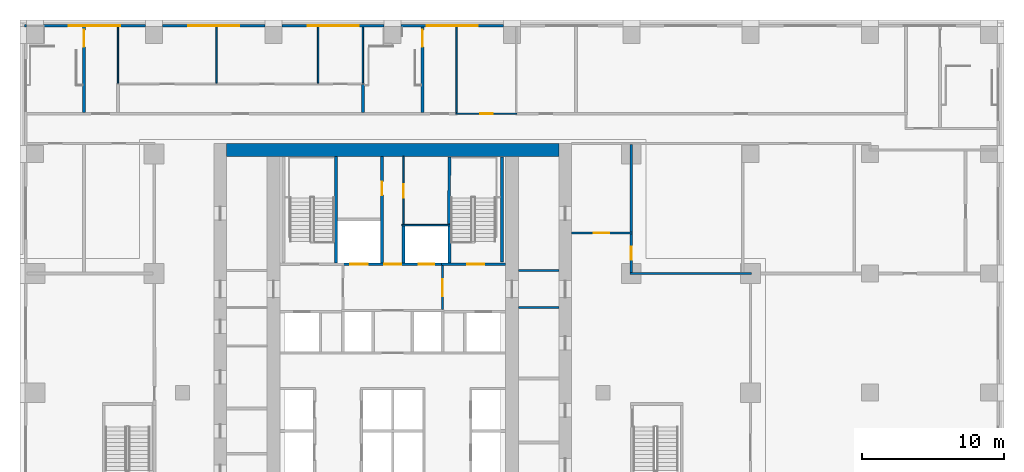
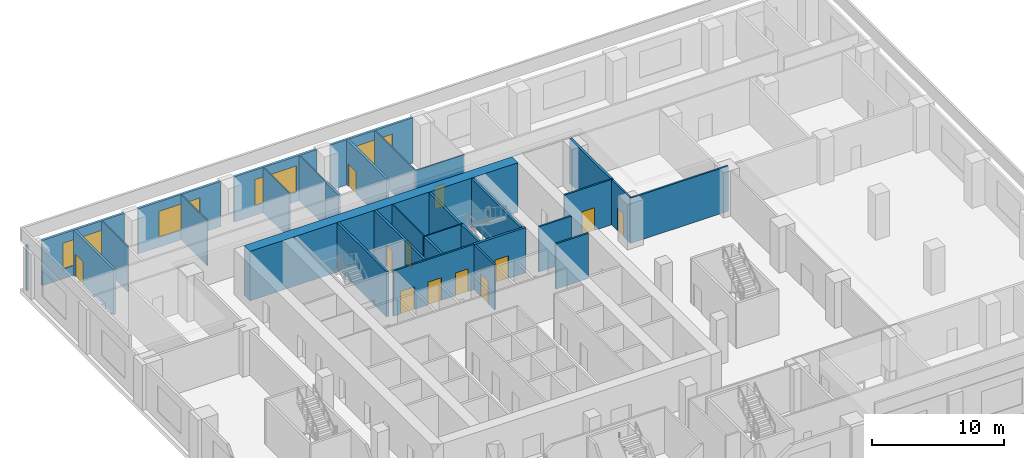
# One storey, part 7 of 16: 32 walls, 12 doors, 4 windows, 16 openings.
"""IFC4 building model written with IfcOpenShell, lengths in metres."""

from ifc_helpers import new_model, si_unit, direction, frame, frame_2d, origin, place, context, subcontext, project, spatial, rectangle, extrude, material, layer, layer_set, type_object, element, fill, save


model = new_model("IFC4")

# Units and contexts
model_context = context("Model", 3, precision=1e-05, world=origin(), true_north=direction((0.0, 1.0)))
body_context = subcontext(model_context, "Body", "Model", "MODEL_VIEW")
ifc_project = project(units=[si_unit("LENGTHUNIT", "METRE"), si_unit("AREAUNIT", "SQUARE_METRE"), si_unit("VOLUMEUNIT", "CUBIC_METRE"), si_unit("PLANEANGLEUNIT", "RADIAN"), si_unit("MASSUNIT", "GRAM", prefix="KILO")], contexts=[model_context])

# Site, building, storey
site_placement = place(None, origin())
site = spatial("IfcSite", under=ifc_project, at=site_placement, CompositionType="ELEMENT")
building_placement = place(site_placement, origin())
building = spatial("IfcBuilding", under=site, at=building_placement, Name="Vermilion Ogive Tower", CompositionType="ELEMENT")
storey_placement = place(building_placement, frame((0.0, 0.0, 30.0)))
storey = spatial("IfcBuildingStorey", under=building, at=storey_placement, Name="L05", CompositionType="ELEMENT", Elevation=30.0)

# Wall, opening, door
ifc_material_1 = material(Name="Gypsum board partition on steel studs", Category="steel")
ifc_layer_1 = layer(ifc_material_1, 0.10009765625)
ifc_layer_set_1 = layer_set([ifc_layer_1], Name="Partition 100 bath")
wall_type_1 = type_object("IfcWallType", Name="Partition 100 bath", PredefinedType="PARTITIONING", material=ifc_layer_set_1)
wall_1_placement = place(storey_placement, frame((4.449951171875, 23.85009765625, 0.0), z_axis=(0.0, 0.0, 1.0), x_axis=(1.0, 0.0, 0.0)))
wall_1 = element("IfcWall", 1, at=wall_1_placement, inside=storey, type_object=wall_type_1, Name="L05-FS-W-W023", PredefinedType="PARTITIONING", context=body_context, shape_type="SweptSolid", body=[
    extrude(rectangle(XDim=4.300048828125, YDim=0.10009765625, at=frame_2d((2.14990234375, 0.0))), origin(), (0.0, 0.0, 1.0), 4.179931640625),
])
opening_1_placement = place(wall_1_placement, frame((1.699951171875, 0.0, 0.0)))
opening_1 = element("IfcOpeningElement", 2, at=opening_1_placement, cuts=wall_1, Name="Opening L05S028", PredefinedType="OPENING", context=body_context, shape_type="SweptSolid", body=[
    extrude(rectangle(XDim=0.89990234375, YDim=2.10009765625, at=frame_2d((0.449951171875, 1.050048828125))), frame((0.0, 0.06005859375, 0.0), z_axis=(0.0, -1.0, 0.0), x_axis=(1.0, 0.0, 0.0)), (0.0, 0.0, 1.0), 0.1201171875),
])
ifc_material_2 = material(Name="Timber door leaf", Category="wood")
door_type_1 = type_object("IfcDoorType", Name="Room door 900 x 2100 FD30", OperationType="SINGLE_SWING_LEFT", PredefinedType="DOOR", material=ifc_material_2)
door_1_placement = place(opening_1_placement, origin())
door_1 = element("IfcDoor", 3, at=door_1_placement, inside=storey, type_object=door_type_1, Name="L05-FS-D-D028", OperationType="SINGLE_SWING_RIGHT", OverallHeight=2.10009765625, OverallWidth=0.89990234375, PredefinedType="DOOR", context=body_context, shape_type="SweptSolid", body=[
    extrude(rectangle(XDim=0.89990234375, YDim=2.10009765625, at=frame_2d((0.449951171875, 1.050048828125))), frame((0.0, 0.02490234375, 0.0), z_axis=(0.0, -1.0, 0.0), x_axis=(1.0, 0.0, 0.0)), (0.0, 0.0, 1.0), 0.050048828125),
])
fill(opening_1, door_1)

# Walls
for number, where, z_axis, x_axis, name in (
    (4, (-19.35009765625, 26.0, 0.0), (0.0, 0.0, 1.0), (0.0, 1.0, 0.0), "L05-FS-W-W029"),
    (5, (-12.425048828125, 26.0, 0.0), (0.0, 0.0, 1.0), (0.0, 1.0, 0.0), "L05-FS-W-W033"),
    (6, (-5.25, 26.0, 0.0), (0.0, 0.0, 1.0), (0.0, 1.0, 0.0), "L05-FS-W-W036"),
    (7, (-2.10009765625, 26.0, 0.0), (0.0, 0.0, 1.0), (0.0, 1.0, 0.0), "L05-FS-W-W038"),
):
    element("IfcWall", number, at=place(storey_placement, frame(where, z_axis=z_axis, x_axis=x_axis)), inside=storey, type_object=wall_type_1, Name=name, PredefinedType="PARTITIONING", context=body_context, shape_type="SweptSolid", body=[
        extrude(rectangle(XDim=3.949951171875, YDim=0.10009765625, at=frame_2d((1.97509765625, 0.0))), origin(), (0.0, 0.0, 1.0), 4.179931640625),
    ])
wall_2_placement = place(storey_placement, frame((4.5, 23.925048828125, 0.0), z_axis=(0.0, 0.0, 1.0), x_axis=(0.0, 1.0, 0.0)))
element("IfcWall", 8, at=wall_2_placement, inside=storey, type_object=wall_type_1, Name="L05-FS-W-W040", PredefinedType="PARTITIONING", context=body_context, shape_type="SweptSolid", body=[
    extrude(rectangle(XDim=6.02490234375, YDim=0.10009765625, at=frame_2d((3.012451171875, 0.0))), origin(), (0.0, 0.0, 1.0), 4.179931640625),
])
wall_3_placement = place(storey_placement, frame((0.64990234375, 16.0, 0.0), z_axis=(0.0, 0.0, 1.0), x_axis=(1.0, 0.0, 0.0)))
element("IfcWall", 9, at=wall_3_placement, inside=storey, type_object=wall_type_1, Name="L05-CK-W-W020", PredefinedType="PARTITIONING", context=body_context, shape_type="SweptSolid", body=[
    extrude(rectangle(XDim=3.4501953125, YDim=0.10009765625, at=frame_2d((1.72509765625, 0.0))), origin(), (0.0, 0.0, 1.0), 4.179931640625),
])

# Wall, opening, door
wall_4_placement = place(storey_placement, frame((0.75, 16.050048828125, 0.0), z_axis=(0.0, 0.0, 1.0), x_axis=(0.0, 1.0, 0.0)))
wall_4 = element("IfcWall", 10, at=wall_4_placement, inside=storey, type_object=wall_type_1, Name="L05-CK-W-W032", PredefinedType="PARTITIONING", context=body_context, shape_type="SweptSolid", body=[
    extrude(rectangle(XDim=4.799072265625, YDim=0.10009765625, at=frame_2d((2.3994140625, 0.0))), origin(), (0.0, 0.0, 1.0), 4.179931640625),
])
opening_2_placement = place(wall_4_placement, frame((1.875, 0.0, 0.0)))
opening_2 = element("IfcOpeningElement", 11, at=opening_2_placement, cuts=wall_4, Name="Opening DAB130", PredefinedType="OPENING", context=body_context, shape_type="SweptSolid", body=[
    extrude(rectangle(XDim=0.949951171875, YDim=2.10009765625, at=frame_2d((0.47509765625, 1.050048828125))), frame((0.0, 0.06005859375, 0.0), z_axis=(0.0, -1.0, 0.0), x_axis=(1.0, 0.0, 0.0)), (0.0, 0.0, 1.0), 0.1201171875),
])
ifc_material_3 = material(Name="Timber door leaf", Category="wood")
door_type_2 = type_object("IfcDoorType", Name="Service door 950 x 2100 FD60", OperationType="SINGLE_SWING_LEFT", PredefinedType="DOOR", material=ifc_material_3)
door_2_placement = place(opening_2_placement, origin())
door_2 = element("IfcDoor", 12, at=door_2_placement, inside=storey, type_object=door_type_2, Name="L05-CK-D-D021", OperationType="SINGLE_SWING_LEFT", OverallHeight=2.10009765625, OverallWidth=0.949951171875, PredefinedType="DOOR", context=body_context, shape_type="SweptSolid", body=[
    extrude(rectangle(XDim=0.949951171875, YDim=2.10009765625, at=frame_2d((0.47509765625, 1.050048828125))), frame((0.0, 0.02490234375, 0.0), z_axis=(0.0, -1.0, 0.0), x_axis=(1.0, 0.0, 0.0)), (0.0, 0.0, 1.0), 0.050048828125),
])
fill(opening_2, door_2)

# Wall
ifc_material_4 = material(Name="Gypsum board partition on steel studs", Category="steel")
ifc_layer_2 = layer(ifc_material_4, 0.14990234375)
ifc_layer_set_2 = layer_set([ifc_layer_2], Name="Partition 150 corridor")
wall_type_2 = type_object("IfcWallType", Name="Partition 150 corridor", PredefinedType="PARTITIONING", material=ifc_layer_set_2)
wall_5_placement = place(storey_placement, frame((16.72509765625, 12.60009765625, 0.0), z_axis=(0.0, 0.0, 1.0), x_axis=(1.0, 0.0, 0.0)))
element("IfcWall", 13, at=wall_5_placement, inside=storey, type_object=wall_type_2, Name="L05-FS-W-W015", PredefinedType="PARTITIONING", context=body_context, shape_type="SweptSolid", body=[
    extrude(rectangle(XDim=8.5498046875, YDim=0.14990234375, at=frame_2d((4.27490234375, 0.0))), origin(), (0.0, 0.0, 1.0), 4.179931640625),
])

# Wall, opening, door
wall_6_placement = place(storey_placement, frame((12.60107421875, 15.449951171875, 0.0), z_axis=(0.0, 0.0, 1.0), x_axis=(1.0, 0.0, 0.0)))
wall_6 = element("IfcWall", 14, at=wall_6_placement, inside=storey, type_object=wall_type_2, Name="L05-FS-W-W017", PredefinedType="PARTITIONING", context=body_context, shape_type="SweptSolid", body=[
    extrude(rectangle(XDim=4.298828125, YDim=0.14990234375, at=frame_2d((2.1494140625, 0.0))), origin(), (0.0, 0.0, 1.0), 4.179931640625),
])
opening_3_placement = place(wall_6_placement, frame((1.549072265625, 0.0, 0.0)))
opening_3 = element("IfcOpeningElement", 15, at=opening_3_placement, cuts=wall_6, Name="Opening L05S013", PredefinedType="OPENING", context=body_context, shape_type="SweptSolid", body=[
    extrude(rectangle(XDim=1.10009765625, YDim=2.10009765625, at=frame_2d((0.550048828125, 1.050048828125))), frame((0.0, 0.0849609375, 0.0), z_axis=(0.0, -1.0, 0.0), x_axis=(1.0, 0.0, 0.0)), (0.0, 0.0, 1.0), 0.169921875),
])
ifc_material_5 = material(Name="Timber door leaf", Category="wood")
door_type_3 = type_object("IfcDoorType", Name="Fire door 1100 x 2100 FD30", OperationType="SINGLE_SWING_LEFT", PredefinedType="DOOR", material=ifc_material_5)
door_3_placement = place(opening_3_placement, origin())
door_3 = element("IfcDoor", 16, at=door_3_placement, inside=storey, type_object=door_type_3, Name="L05-FS-D-D013", OperationType="SINGLE_SWING_LEFT", OverallHeight=2.10009765625, OverallWidth=1.10009765625, PredefinedType="DOOR", context=body_context, shape_type="SweptSolid", body=[
    extrude(rectangle(XDim=1.10009765625, YDim=2.10009765625, at=frame_2d((0.550048828125, 1.050048828125))), frame((0.0, 0.02490234375, 0.0), z_axis=(0.0, -1.0, 0.0), x_axis=(1.0, 0.0, 0.0)), (0.0, 0.0, 1.0), 0.050048828125),
])
fill(opening_3, door_3)

wall_7_placement = place(storey_placement, frame((16.800048828125, 12.675048828125, 0.0), z_axis=(0.0, 0.0, 1.0), x_axis=(0.0, 1.0, 0.0)))
wall_7 = element("IfcWall", 17, at=wall_7_placement, inside=storey, type_object=wall_type_2, Name="L05-FS-W-W047", PredefinedType="PARTITIONING", context=body_context, shape_type="SweptSolid", body=[
    extrude(rectangle(XDim=2.699951171875, YDim=0.14990234375, at=frame_2d((1.35009765625, 0.0))), origin(), (0.0, 0.0, 1.0), 4.179931640625),
])
opening_4_placement = place(wall_7_placement, frame((0.89990234375, 0.0, 0.0)))
opening_4 = element("IfcOpeningElement", 18, at=opening_4_placement, cuts=wall_7, Name="Opening L05S022", PredefinedType="OPENING", context=body_context, shape_type="SweptSolid", body=[
    extrude(rectangle(XDim=0.89990234375, YDim=2.10009765625, at=frame_2d((0.449951171875, 1.050048828125))), frame((0.0, 0.0849609375, 0.0), z_axis=(0.0, -1.0, 0.0), x_axis=(1.0, 0.0, 0.0)), (0.0, 0.0, 1.0), 0.169921875),
])
door_4_placement = place(opening_4_placement, origin())
door_4 = element("IfcDoor", 19, at=door_4_placement, inside=storey, type_object=door_type_1, Name="L05-FS-D-D022", OperationType="SINGLE_SWING_RIGHT", OverallHeight=2.10009765625, OverallWidth=0.89990234375, PredefinedType="DOOR", context=body_context, shape_type="SweptSolid", body=[
    extrude(rectangle(XDim=0.89990234375, YDim=2.10009765625, at=frame_2d((0.449951171875, 1.050048828125))), frame((0.0, 0.02490234375, 0.0), z_axis=(0.0, -1.0, 0.0), x_axis=(1.0, 0.0, 0.0)), (0.0, 0.0, 1.0), 0.050048828125),
])
fill(opening_4, door_4)

# Wall, openings, doors
wall_8_placement = place(storey_placement, frame((-3.574951171875, 13.25, 0.0), z_axis=(0.0, 0.0, 1.0), x_axis=(1.0, 0.0, 0.0)))
wall_8 = element("IfcWall", 20, at=wall_8_placement, inside=storey, type_object=wall_type_2, Name="L05-CK-W-W018", PredefinedType="PARTITIONING", context=body_context, shape_type="SweptSolid", body=[
    extrude(rectangle(XDim=7.14990234375, YDim=0.14990234375, at=frame_2d((3.574951171875, 0.0))), origin(), (0.0, 0.0, 1.0), 4.179931640625),
])
opening_5_placement = place(wall_8_placement, frame((0.599853515625, 0.0, 0.0)))
opening_5 = element("IfcOpeningElement", 21, at=opening_5_placement, cuts=wall_8, Name="Opening DAB146", PredefinedType="OPENING", context=body_context, shape_type="SweptSolid", body=[
    extrude(rectangle(XDim=1.199951171875, YDim=2.10009765625, at=frame_2d((0.60009765625, 1.050048828125))), frame((0.0, 0.0849609375, 0.0), z_axis=(0.0, -1.0, 0.0), x_axis=(1.0, 0.0, 0.0)), (0.0, 0.0, 1.0), 0.169921875),
])
opening_6_placement = place(wall_8_placement, frame((5.39990234375, 0.0, 0.0)))
opening_6 = element("IfcOpeningElement", 22, at=opening_6_placement, cuts=wall_8, Name="Opening DAB137", PredefinedType="OPENING", context=body_context, shape_type="SweptSolid", body=[
    extrude(rectangle(XDim=1.10009765625, YDim=2.10009765625, at=frame_2d((0.550048828125, 1.050048828125))), frame((0.0, 0.0849609375, 0.0), z_axis=(0.0, -1.0, 0.0), x_axis=(1.0, 0.0, 0.0)), (0.0, 0.0, 1.0), 0.169921875),
])
opening_7_placement = place(wall_8_placement, frame((2.974853515625, 0.0, 0.0)))
opening_7 = element("IfcOpeningElement", 23, at=opening_7_placement, cuts=wall_8, Name="Opening DAB128", PredefinedType="OPENING", context=body_context, shape_type="SweptSolid", body=[
    extrude(rectangle(XDim=1.199951171875, YDim=2.10009765625, at=frame_2d((0.60009765625, 1.050048828125))), frame((0.0, 0.0849609375, 0.0), z_axis=(0.0, -1.0, 0.0), x_axis=(1.0, 0.0, 0.0)), (0.0, 0.0, 1.0), 0.169921875),
])
ifc_material_6 = material(Name="Stainless steel", Category="steel")
door_type_4 = type_object("IfcDoorType", Name="Lift landing door 1100 x 2100", OperationType="SLIDING_TO_LEFT", PredefinedType="DOOR", material=ifc_material_6)
door_5_placement = place(opening_6_placement, origin())
door_5 = element("IfcDoor", 24, at=door_5_placement, inside=storey, type_object=door_type_4, Name="L05-CK-D-D018", OperationType="SLIDING_TO_LEFT", OverallHeight=2.10009765625, OverallWidth=1.10009765625, PredefinedType="DOOR", context=body_context, shape_type="SweptSolid", body=[
    extrude(rectangle(XDim=1.10009765625, YDim=2.10009765625, at=frame_2d((0.550048828125, 1.050048828125))), frame((0.0, 0.02490234375, 0.0), z_axis=(0.0, -1.0, 0.0), x_axis=(1.0, 0.0, 0.0)), (0.0, 0.0, 1.0), 0.050048828125),
])
fill(opening_6, door_5)
ifc_material_7 = material(Name="Stainless steel", Category="steel")
door_type_5 = type_object("IfcDoorType", Name="Lift landing door 1200 x 2100", OperationType="SLIDING_TO_LEFT", PredefinedType="DOOR", material=ifc_material_7)
door_6_placement = place(opening_5_placement, origin())
door_6 = element("IfcDoor", 25, at=door_6_placement, inside=storey, type_object=door_type_5, Name="L05-CK-D-D017", OperationType="SLIDING_TO_RIGHT", OverallHeight=2.10009765625, OverallWidth=1.199951171875, PredefinedType="DOOR", context=body_context, shape_type="SweptSolid", body=[
    extrude(rectangle(XDim=1.199951171875, YDim=2.10009765625, at=frame_2d((0.60009765625, 1.050048828125))), frame((0.0, 0.02490234375, 0.0), z_axis=(0.0, -1.0, 0.0), x_axis=(1.0, 0.0, 0.0)), (0.0, 0.0, 1.0), 0.050048828125),
])
fill(opening_5, door_6)
ifc_material_8 = material(Name="Timber door leaf", Category="wood")
door_type_6 = type_object("IfcDoorType", Name="Service door 1200 x 2100 FD60", OperationType="SINGLE_SWING_LEFT", PredefinedType="DOOR", material=ifc_material_8)
door_7_placement = place(opening_7_placement, origin())
door_7 = element("IfcDoor", 26, at=door_7_placement, inside=storey, type_object=door_type_6, Name="L05-CK-D-D019", OperationType="SINGLE_SWING_RIGHT", OverallHeight=2.10009765625, OverallWidth=1.199951171875, PredefinedType="DOOR", context=body_context, shape_type="SweptSolid", body=[
    extrude(rectangle(XDim=1.199951171875, YDim=2.10009765625, at=frame_2d((0.60009765625, 1.050048828125))), frame((0.0, 0.02490234375, 0.0), z_axis=(0.0, -1.0, 0.0), x_axis=(1.0, 0.0, 0.0)), (0.0, 0.0, 1.0), 0.050048828125),
])
fill(opening_7, door_7)

# Wall, opening, door
wall_9_placement = place(storey_placement, frame((3.5, 10.074951171875, 0.0), z_axis=(0.0, 0.0, 1.0), x_axis=(0.0, 1.0, 0.0)))
wall_9 = element("IfcWall", 27, at=wall_9_placement, inside=storey, type_object=wall_type_2, Name="L05-CK-W-W036", PredefinedType="PARTITIONING", context=body_context, shape_type="SweptSolid", body=[
    extrude(rectangle(XDim=3.074951171875, YDim=0.14990234375, at=frame_2d((1.53759765625, 0.0))), origin(), (0.0, 0.0, 1.0), 4.179931640625),
])
opening_8_placement = place(wall_9_placement, frame((0.925048828125, 0.0, 0.0)))
opening_8 = element("IfcOpeningElement", 28, at=opening_8_placement, cuts=wall_9, Name="Opening DAB125", PredefinedType="OPENING", context=body_context, shape_type="SweptSolid", body=[
    extrude(rectangle(XDim=1.199951171875, YDim=2.10009765625, at=frame_2d((0.60009765625, 1.050048828125))), frame((0.0, 0.0849609375, 0.0), z_axis=(0.0, -1.0, 0.0), x_axis=(1.0, 0.0, 0.0)), (0.0, 0.0, 1.0), 0.169921875),
])
ifc_material_9 = material(Name="Timber door leaf", Category="wood")
door_type_7 = type_object("IfcDoorType", Name="Lobby door 1200 x 2100 FD60S", OperationType="SINGLE_SWING_LEFT", PredefinedType="DOOR", material=ifc_material_9)
door_8_placement = place(opening_8_placement, origin())
door_8 = element("IfcDoor", 29, at=door_8_placement, inside=storey, type_object=door_type_7, Name="L05-CK-D-D023", OperationType="SINGLE_SWING_LEFT", OverallHeight=2.10009765625, OverallWidth=1.199951171875, PredefinedType="DOOR", context=body_context, shape_type="SweptSolid", body=[
    extrude(rectangle(XDim=1.199951171875, YDim=2.10009765625, at=frame_2d((0.60009765625, 1.050048828125))), frame((0.0, 0.02490234375, 0.0), z_axis=(0.0, -1.0, 0.0), x_axis=(1.0, 0.0, 0.0)), (0.0, 0.0, 1.0), 0.050048828125),
])
fill(opening_8, door_8)

# Walls
for number, where, z_axis, x_axis, name in (
    (30, (8.85107421875, 10.199951171875, 0.0), (0.0, 0.0, 1.0), (1.0, 0.0, 0.0), "L05-CKE-W-W004"),
    (31, (8.85107421875, 12.800048828125, 0.0), (0.0, 0.0, 1.0), (1.0, 0.0, 0.0), "L05-CKE-W-W005"),
):
    element("IfcWall", number, at=place(storey_placement, frame(where, z_axis=z_axis, x_axis=x_axis)), inside=storey, type_object=wall_type_2, Name=name, PredefinedType="PARTITIONING", context=body_context, shape_type="SweptSolid", body=[
        extrude(rectangle(XDim=2.847900390625, YDim=0.14990234375, at=frame_2d((1.423828125, 0.0))), origin(), (0.0, 0.0, 1.0), 4.179931640625),
    ])

# Wall, opening, door
ifc_material_10 = material(Name="Gypsum board partition on steel studs", Category="steel")
ifc_layer_3 = layer(ifc_material_10, 0.199951171875)
ifc_layer_set_3 = layer_set([ifc_layer_3], Name="Partition 200 party")
wall_type_3 = type_object("IfcWallType", Name="Partition 200 party", PredefinedType="PARTITIONING", material=ifc_layer_set_3)
wall_10_placement = place(storey_placement, frame((-21.75, 23.925048828125, 0.0), z_axis=(0.0, 0.0, 1.0), x_axis=(0.0, 1.0, 0.0)))
wall_10 = element("IfcWall", 32, at=wall_10_placement, inside=storey, type_object=wall_type_3, Name="L05-FS-W-W027", PredefinedType="PARTITIONING", context=body_context, shape_type="SweptSolid", body=[
    extrude(rectangle(XDim=6.02490234375, YDim=0.199951171875, at=frame_2d((3.012451171875, 0.0))), origin(), (0.0, 0.0, 1.0), 4.179931640625),
])
opening_9_placement = place(wall_10_placement, frame((4.625, 0.0, 0.0)))
opening_9 = element("IfcOpeningElement", 33, at=opening_9_placement, cuts=wall_10, Name="Opening L05S001", PredefinedType="OPENING", context=body_context, shape_type="SweptSolid", body=[
    extrude(rectangle(XDim=1.199951171875, YDim=2.10009765625, at=frame_2d((0.60009765625, 1.050048828125))), frame((0.0, 0.10986328125, 0.0), z_axis=(0.0, -1.0, 0.0), x_axis=(1.0, 0.0, 0.0)), (0.0, 0.0, 1.0), 0.219970703125),
])
ifc_material_11 = material(Name="Timber door leaf", Category="wood")
door_type_8 = type_object("IfcDoorType", Name="Stair door 1200 x 2100 FD60S", OperationType="SINGLE_SWING_LEFT", PredefinedType="DOOR", material=ifc_material_11)
door_9_placement = place(opening_9_placement, origin())
door_9 = element("IfcDoor", 34, at=door_9_placement, inside=storey, type_object=door_type_8, Name="L05-FS-D-D001", OperationType="DOUBLE_DOOR_SINGLE_SWING", OverallHeight=2.10009765625, OverallWidth=1.199951171875, PredefinedType="DOOR", context=body_context, shape_type="SweptSolid", body=[
    extrude(rectangle(XDim=1.199951171875, YDim=2.10009765625, at=frame_2d((0.60009765625, 1.050048828125))), frame((0.0, 0.02490234375, 0.0), z_axis=(0.0, -1.0, 0.0), x_axis=(1.0, 0.0, 0.0)), (0.0, 0.0, 1.0), 0.050048828125),
])
fill(opening_9, door_9)

# Wall
wall_11_placement = place(storey_placement, frame((-2.10009765625, 23.925048828125, 0.0), z_axis=(0.0, 0.0, 1.0), x_axis=(0.0, 1.0, 0.0)))
element("IfcWall", 35, at=wall_11_placement, inside=storey, type_object=wall_type_3, Name="L05-FS-W-W037", PredefinedType="PARTITIONING", context=body_context, shape_type="SweptSolid", body=[
    extrude(rectangle(XDim=1.974853515625, YDim=0.199951171875, at=frame_2d((0.9873046875, 0.0))), origin(), (0.0, 0.0, 1.0), 4.179931640625),
])

# Wall, opening, door
wall_12_placement = place(storey_placement, frame((2.10009765625, 23.925048828125, 0.0), z_axis=(0.0, 0.0, 1.0), x_axis=(0.0, 1.0, 0.0)))
wall_12 = element("IfcWall", 36, at=wall_12_placement, inside=storey, type_object=wall_type_3, Name="L05-FS-W-W039", PredefinedType="PARTITIONING", context=body_context, shape_type="SweptSolid", body=[
    extrude(rectangle(XDim=6.02490234375, YDim=0.199951171875, at=frame_2d((3.012451171875, 0.0))), origin(), (0.0, 0.0, 1.0), 4.179931640625),
])
opening_10_placement = place(wall_12_placement, frame((4.625, 0.0, 0.0)))
opening_10 = element("IfcOpeningElement", 37, at=opening_10_placement, cuts=wall_12, Name="Opening L05S005", PredefinedType="OPENING", context=body_context, shape_type="SweptSolid", body=[
    extrude(rectangle(XDim=1.199951171875, YDim=2.10009765625, at=frame_2d((0.60009765625, 1.050048828125))), frame((0.0, 0.10986328125, 0.0), z_axis=(0.0, -1.0, 0.0), x_axis=(1.0, 0.0, 0.0)), (0.0, 0.0, 1.0), 0.219970703125),
])
door_10_placement = place(opening_10_placement, origin())
door_10 = element("IfcDoor", 38, at=door_10_placement, inside=storey, type_object=door_type_8, Name="L05-FS-D-D005", OperationType="DOUBLE_DOOR_SINGLE_SWING", OverallHeight=2.10009765625, OverallWidth=1.199951171875, PredefinedType="DOOR", context=body_context, shape_type="SweptSolid", body=[
    extrude(rectangle(XDim=1.199951171875, YDim=2.10009765625, at=frame_2d((0.60009765625, 1.050048828125))), frame((0.0, 0.02490234375, 0.0), z_axis=(0.0, -1.0, 0.0), x_axis=(1.0, 0.0, 0.0)), (0.0, 0.0, 1.0), 0.050048828125),
])
fill(opening_10, door_10)

# Wall
wall_13_placement = place(storey_placement, frame((16.800048828125, 15.52490234375, 0.0), z_axis=(0.0, 0.0, 1.0), x_axis=(0.0, 1.0, 0.0)))
element("IfcWall", 39, at=wall_13_placement, inside=storey, type_object=wall_type_3, Name="L05-FS-W-W048", PredefinedType="PARTITIONING", context=body_context, shape_type="SweptSolid", body=[
    extrude(rectangle(XDim=6.150146484375, YDim=0.199951171875, at=frame_2d((3.0751953125, 0.0))), origin(), (0.0, 0.0, 1.0), 4.179931640625),
])

# Wall, opening, door
wall_14_placement = place(storey_placement, frame((-0.75, 13.324951171875, 0.0), z_axis=(0.0, 0.0, 1.0), x_axis=(0.0, 1.0, 0.0)))
wall_14 = element("IfcWall", 40, at=wall_14_placement, inside=storey, type_object=wall_type_3, Name="L05-CK-W-W029", PredefinedType="PARTITIONING", context=body_context, shape_type="SweptSolid", body=[
    extrude(rectangle(XDim=7.524169921875, YDim=0.199951171875, at=frame_2d((3.76220703125, 0.0))), origin(), (0.0, 0.0, 1.0), 4.179931640625),
])
opening_11_placement = place(wall_14_placement, frame((4.800048828125, 0.0, 0.0)))
opening_11 = element("IfcOpeningElement", 41, at=opening_11_placement, cuts=wall_14, Name="Opening DAB129", PredefinedType="OPENING", context=body_context, shape_type="SweptSolid", body=[
    extrude(rectangle(XDim=0.949951171875, YDim=2.10009765625, at=frame_2d((0.47509765625, 1.050048828125))), frame((0.0, 0.10986328125, 0.0), z_axis=(0.0, -1.0, 0.0), x_axis=(1.0, 0.0, 0.0)), (0.0, 0.0, 1.0), 0.219970703125),
])
door_11_placement = place(opening_11_placement, origin())
door_11 = element("IfcDoor", 42, at=door_11_placement, inside=storey, type_object=door_type_2, Name="L05-CK-D-D020", OperationType="SINGLE_SWING_RIGHT", OverallHeight=2.10009765625, OverallWidth=0.949951171875, PredefinedType="DOOR", context=body_context, shape_type="SweptSolid", body=[
    extrude(rectangle(XDim=0.949951171875, YDim=2.10009765625, at=frame_2d((0.47509765625, 1.050048828125))), frame((0.0, 0.02490234375, 0.0), z_axis=(0.0, -1.0, 0.0), x_axis=(1.0, 0.0, 0.0)), (0.0, 0.0, 1.0), 0.050048828125),
])
fill(opening_11, door_11)

# Walls
wall_15_placement = place(storey_placement, frame((0.75, 13.324951171875, 0.0), z_axis=(0.0, 0.0, 1.0), x_axis=(0.0, 1.0, 0.0)))
element("IfcWall", 43, at=wall_15_placement, inside=storey, type_object=wall_type_3, Name="L05-CK-W-W031", PredefinedType="PARTITIONING", context=body_context, shape_type="SweptSolid", body=[
    extrude(rectangle(XDim=2.625, YDim=0.199951171875, at=frame_2d((1.3125, 0.0))), origin(), (0.0, 0.0, 1.0), 4.179931640625),
])
ifc_material_12 = material(Name="Concrete B60", Category="concrete")
ifc_layer_4 = layer(ifc_material_12, 0.199951171875)
ifc_layer_set_4 = layer_set([ifc_layer_4], Name="Stair shaft wall 200 Concrete B60")
wall_type_4 = type_object("IfcWallType", Name="Stair shaft wall 200 Concrete B60", PredefinedType="SOLIDWALL", material=ifc_layer_set_4)
wall_16_placement = place(storey_placement, frame((-11.699951171875, 21.300048828125, -0.39990234375), z_axis=(0.0, 0.0, 1.0), x_axis=(1.0, 0.0, 0.0)))
element("IfcWall", 44, at=wall_16_placement, inside=storey, type_object=wall_type_4, Name="L05-CORE-N", PredefinedType="SOLIDWALL", context=body_context, shape_type="SweptSolid", body=[
    extrude(rectangle(XDim=23.39990234375, YDim=0.89990234375, at=frame_2d((11.699951171875, 0.0))), origin(), (0.0, 0.0, 1.0), 4.579833984375),
])

# Wall, opening, door
wall_17_placement = place(storey_placement, frame((3.425048828125, 13.25, 0.0), z_axis=(0.0, 0.0, 1.0), x_axis=(1.0, 0.0, 0.0)))
wall_17 = element("IfcWall", 45, at=wall_17_placement, inside=storey, type_object=wall_type_4, Name="L05-CK-W-W019", PredefinedType="SOLIDWALL", context=body_context, shape_type="SweptSolid", body=[
    extrude(rectangle(XDim=4.52392578125, YDim=0.199951171875, at=frame_2d((2.261962890625, 0.0))), origin(), (0.0, 0.0, 1.0), 4.179931640625),
])
opening_12_placement = place(wall_17_placement, frame((1.824951171875, 0.0, 0.0)))
opening_12 = element("IfcOpeningElement", 46, at=opening_12_placement, cuts=wall_17, Name="Opening DAB132", PredefinedType="OPENING", context=body_context, shape_type="SweptSolid", body=[
    extrude(rectangle(XDim=1.199951171875, YDim=2.10009765625, at=frame_2d((0.60009765625, 1.050048828125))), frame((0.0, 0.10986328125, 0.0), z_axis=(0.0, -1.0, 0.0), x_axis=(1.0, 0.0, 0.0)), (0.0, 0.0, 1.0), 0.219970703125),
])
door_12_placement = place(opening_12_placement, origin())
door_12 = element("IfcDoor", 47, at=door_12_placement, inside=storey, type_object=door_type_8, Name="L05-CK-D-D013", OperationType="SINGLE_SWING_RIGHT", OverallHeight=2.10009765625, OverallWidth=1.199951171875, PredefinedType="DOOR", context=body_context, shape_type="SweptSolid", body=[
    extrude(rectangle(XDim=1.199951171875, YDim=2.10009765625, at=frame_2d((0.60009765625, 1.050048828125))), frame((0.0, 0.02490234375, 0.0), z_axis=(0.0, -1.0, 0.0), x_axis=(1.0, 0.0, 0.0)), (0.0, 0.0, 1.0), 0.050048828125),
])
fill(opening_12, door_12)

# Walls
wall_18_placement = place(storey_placement, frame((-4.0, 13.35009765625, 0.0), z_axis=(0.0, 0.0, 1.0), x_axis=(0.0, 1.0, 0.0)))
element("IfcWall", 48, at=wall_18_placement, inside=storey, type_object=wall_type_4, Name="L05-CK-W-W024", PredefinedType="SOLIDWALL", context=body_context, shape_type="SweptSolid", body=[
    extrude(rectangle(XDim=7.4990234375, YDim=0.199951171875, at=frame_2d((3.74951171875, 0.0))), origin(), (0.0, 0.0, 1.0), 4.179931640625),
])
wall_19_placement = place(storey_placement, frame((4.0, 13.35009765625, 0.0), z_axis=(0.0, 0.0, 1.0), x_axis=(0.0, 1.0, 0.0)))
element("IfcWall", 49, at=wall_19_placement, inside=storey, type_object=wall_type_4, Name="L05-CK-W-W037", PredefinedType="SOLIDWALL", context=body_context, shape_type="SweptSolid", body=[
    extrude(rectangle(XDim=2.599853515625, YDim=0.199951171875, at=frame_2d((1.2998046875, 0.0))), origin(), (0.0, 0.0, 1.0), 4.179931640625),
])
wall_20_placement = place(storey_placement, frame((3.949951171875, 16.050048828125, 0.0), z_axis=(0.0, 0.0, 1.0), x_axis=(0.010538176883, 0.999944471872, 0.0)))
element("IfcWall", 50, at=wall_20_placement, inside=storey, type_object=wall_type_4, Name="L05-CK-W-W038", PredefinedType="SOLIDWALL", context=body_context, shape_type="SweptSolid", body=[
    extrude(rectangle(XDim=4.749267578125, YDim=0.199951171875, at=frame_2d((2.37451171875, 0.0))), origin(), (0.0, 0.0, 1.0), 4.179931640625),
])
wall_21_placement = place(storey_placement, frame((7.699951171875, 13.39990234375, 0.0), z_axis=(0.0, 0.0, 1.0), x_axis=(0.0, 1.0, 0.0)))
element("IfcWall", 51, at=wall_21_placement, inside=storey, type_object=wall_type_4, Name="L05-SW-R026-E1", PredefinedType="SOLIDWALL", context=body_context, shape_type="SweptSolid", body=[
    extrude(rectangle(XDim=7.400146484375, YDim=0.199951171875, at=frame_2d((3.7001953125, 0.0))), origin(), (0.0, 0.0, 1.0), 4.179931640625),
])

# Wall, opening, window
ifc_material_13 = material(Name="Aluminium window wall framing", Category="aluminium")
ifc_layer_5 = layer(ifc_material_13, 0.199951171875)
ifc_layer_set_5 = layer_set([ifc_layer_5], Name="Window wall")
wall_type_5 = type_object("IfcWallType", Name="Window wall", PredefinedType="STANDARD", material=ifc_layer_set_5)
wall_22_placement = place(storey_placement, frame((7.800048828125, 30.050048828125, 0.0), z_axis=(0.0, 0.0, 1.0), x_axis=(-1.0, 0.0, 0.0)))
wall_22 = element("IfcWall", 52, at=wall_22_placement, inside=storey, type_object=wall_type_5, Name="Window wall N5", PredefinedType="STANDARD", context=body_context, shape_type="SweptSolid", body=[
    extrude(rectangle(XDim=7.199951171875, YDim=0.199951171875, at=frame_2d((3.60009765625, 0.0))), origin(), (0.0, 0.0, 1.0), 4.179931640625),
])
opening_13_placement = place(wall_22_placement, frame((1.800048828125, 0.0, 0.89990234375)))
opening_13 = element("IfcOpeningElement", 53, at=opening_13_placement, cuts=wall_22, Name="Opening P-N5", PredefinedType="OPENING", context=body_context, shape_type="SweptSolid", body=[
    extrude(rectangle(XDim=3.60009765625, YDim=2.39990234375, at=frame_2d((1.800048828125, 1.199951171875))), frame((0.0, 0.10986328125, 0.0), z_axis=(0.0, -1.0, 0.0), x_axis=(1.0, 0.0, 0.0)), (0.0, 0.0, 1.0), 0.219970703125),
])
ifc_material_14 = material(Name="Aluminium framed double glazing", Category="aluminium")
window_type = type_object("IfcWindowType", Name="Podium window P 3600x2400 sill 900", PartitioningType="SINGLE_PANEL", PredefinedType="WINDOW", material=ifc_material_14)
window_1_placement = place(opening_13_placement, origin())
window_1 = element("IfcWindow", 54, at=window_1_placement, inside=storey, type_object=window_type, Name="Window N5", OverallHeight=2.39990234375, OverallWidth=3.60009765625, PartitioningType="SINGLE_PANEL", PredefinedType="WINDOW", context=body_context, shape_type="SweptSolid", body=[
    extrude(rectangle(XDim=3.60009765625, YDim=2.39990234375, at=frame_2d((1.800048828125, 1.199951171875))), frame((0.0, 0.030029296875, 0.0), z_axis=(0.0, -1.0, 0.0), x_axis=(1.0, 0.0, 0.0)), (0.0, 0.0, 1.0), 0.06005859375),
])
fill(opening_13, window_1)

wall_23_placement = place(storey_placement, frame((-0.60009765625, 30.050048828125, 0.0), z_axis=(0.0, 0.0, 1.0), x_axis=(-1.0, 0.0, 0.0)))
wall_23 = element("IfcWall", 55, at=wall_23_placement, inside=storey, type_object=wall_type_5, Name="Window wall N6", PredefinedType="STANDARD", context=body_context, shape_type="SweptSolid", body=[
    extrude(rectangle(XDim=7.199951171875, YDim=0.199951171875, at=frame_2d((3.60009765625, 0.0))), origin(), (0.0, 0.0, 1.0), 4.179931640625),
])
opening_14_placement = place(wall_23_placement, frame((1.800048828125, 0.0, 0.89990234375)))
opening_14 = element("IfcOpeningElement", 56, at=opening_14_placement, cuts=wall_23, Name="Opening P-N6", PredefinedType="OPENING", context=body_context, shape_type="SweptSolid", body=[
    extrude(rectangle(XDim=3.60009765625, YDim=2.39990234375, at=frame_2d((1.800048828125, 1.199951171875))), frame((0.0, 0.10986328125, 0.0), z_axis=(0.0, -1.0, 0.0), x_axis=(1.0, 0.0, 0.0)), (0.0, 0.0, 1.0), 0.219970703125),
])
window_2_placement = place(opening_14_placement, origin())
window_2 = element("IfcWindow", 57, at=window_2_placement, inside=storey, type_object=window_type, Name="Window N6", OverallHeight=2.39990234375, OverallWidth=3.60009765625, PartitioningType="SINGLE_PANEL", PredefinedType="WINDOW", context=body_context, shape_type="SweptSolid", body=[
    extrude(rectangle(XDim=3.60009765625, YDim=2.39990234375, at=frame_2d((1.800048828125, 1.199951171875))), frame((0.0, 0.030029296875, 0.0), z_axis=(0.0, -1.0, 0.0), x_axis=(1.0, 0.0, 0.0)), (0.0, 0.0, 1.0), 0.06005859375),
])
fill(opening_14, window_2)

wall_24_placement = place(storey_placement, frame((-9.0, 30.050048828125, 0.0), z_axis=(0.0, 0.0, 1.0), x_axis=(-1.0, 0.0, 0.0)))
wall_24 = element("IfcWall", 58, at=wall_24_placement, inside=storey, type_object=wall_type_5, Name="Window wall N7", PredefinedType="STANDARD", context=body_context, shape_type="SweptSolid", body=[
    extrude(rectangle(XDim=7.199951171875, YDim=0.199951171875, at=frame_2d((3.60009765625, 0.0))), origin(), (0.0, 0.0, 1.0), 4.179931640625),
])
opening_15_placement = place(wall_24_placement, frame((1.800048828125, 0.0, 0.89990234375)))
opening_15 = element("IfcOpeningElement", 59, at=opening_15_placement, cuts=wall_24, Name="Opening P-N7", PredefinedType="OPENING", context=body_context, shape_type="SweptSolid", body=[
    extrude(rectangle(XDim=3.60009765625, YDim=2.39990234375, at=frame_2d((1.800048828125, 1.199951171875))), frame((0.0, 0.10986328125, 0.0), z_axis=(0.0, -1.0, 0.0), x_axis=(1.0, 0.0, 0.0)), (0.0, 0.0, 1.0), 0.219970703125),
])
window_3_placement = place(opening_15_placement, origin())
window_3 = element("IfcWindow", 60, at=window_3_placement, inside=storey, type_object=window_type, Name="Window N7", OverallHeight=2.39990234375, OverallWidth=3.60009765625, PartitioningType="SINGLE_PANEL", PredefinedType="WINDOW", context=body_context, shape_type="SweptSolid", body=[
    extrude(rectangle(XDim=3.60009765625, YDim=2.39990234375, at=frame_2d((1.800048828125, 1.199951171875))), frame((0.0, 0.030029296875, 0.0), z_axis=(0.0, -1.0, 0.0), x_axis=(1.0, 0.0, 0.0)), (0.0, 0.0, 1.0), 0.06005859375),
])
fill(opening_15, window_3)

wall_25_placement = place(storey_placement, frame((-17.39990234375, 30.050048828125, 0.0), z_axis=(0.0, 0.0, 1.0), x_axis=(-1.0, 0.0, 0.0)))
wall_25 = element("IfcWall", 61, at=wall_25_placement, inside=storey, type_object=wall_type_5, Name="Window wall N8", PredefinedType="STANDARD", context=body_context, shape_type="SweptSolid", body=[
    extrude(rectangle(XDim=7.2001953125, YDim=0.199951171875, at=frame_2d((3.60009765625, 0.0))), origin(), (0.0, 0.0, 1.0), 4.179931640625),
])
opening_16_placement = place(wall_25_placement, frame((1.800048828125, 0.0, 0.89990234375)))
opening_16 = element("IfcOpeningElement", 62, at=opening_16_placement, cuts=wall_25, Name="Opening P-N8", PredefinedType="OPENING", context=body_context, shape_type="SweptSolid", body=[
    extrude(rectangle(XDim=3.60009765625, YDim=2.39990234375, at=frame_2d((1.800048828125, 1.199951171875))), frame((0.0, 0.10986328125, 0.0), z_axis=(0.0, -1.0, 0.0), x_axis=(1.0, 0.0, 0.0)), (0.0, 0.0, 1.0), 0.219970703125),
])
window_4_placement = place(opening_16_placement, origin())
window_4 = element("IfcWindow", 63, at=window_4_placement, inside=storey, type_object=window_type, Name="Window N8", OverallHeight=2.39990234375, OverallWidth=3.60009765625, PartitioningType="SINGLE_PANEL", PredefinedType="WINDOW", context=body_context, shape_type="SweptSolid", body=[
    extrude(rectangle(XDim=3.60009765625, YDim=2.39990234375, at=frame_2d((1.800048828125, 1.199951171875))), frame((0.0, 0.030029296875, 0.0), z_axis=(0.0, -1.0, 0.0), x_axis=(1.0, 0.0, 0.0)), (0.0, 0.0, 1.0), 0.06005859375),
])
fill(opening_16, window_4)

# Wall
wall_26_placement = place(storey_placement, frame((-25.800048828125, 30.050048828125, 0.0), z_axis=(0.0, 0.0, 1.0), x_axis=(-1.0, 0.0, 0.0)))
element("IfcWall", 64, at=wall_26_placement, inside=storey, type_object=wall_type_5, Name="Window wall N9", PredefinedType="STANDARD", context=body_context, shape_type="SweptSolid", body=[
    extrude(rectangle(XDim=0.14990234375, YDim=0.199951171875, at=frame_2d((0.074951171875, 0.0))), origin(), (0.0, 0.0, 1.0), 4.179931640625),
])

save(model, "model.ifc")
